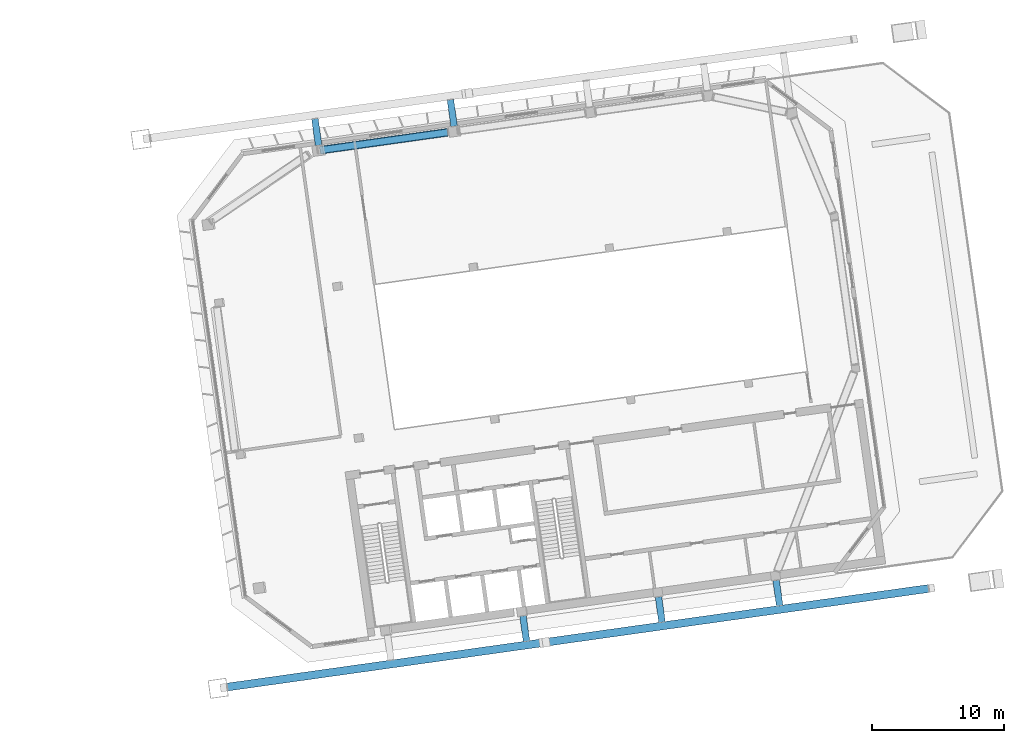
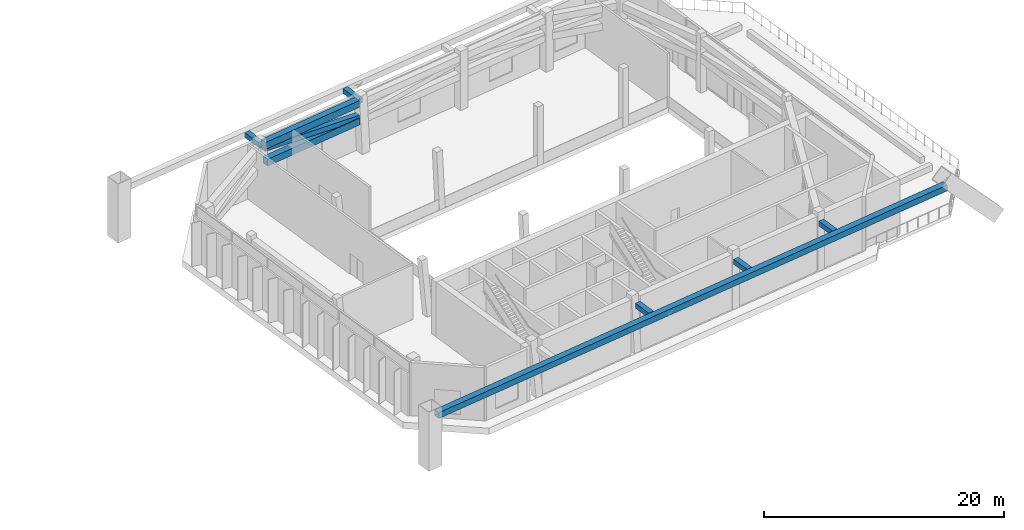
# One storey, part 10 of 29: 9 members.
"""IFC4 building model written with IfcOpenShell, lengths in metres."""

from ifc_helpers import new_model, si_unit, direction, frame, origin, origin_2d, place, context, subcontext, project, spatial, hollow_rectangle, extrude, material, material_profile, profile_set, type_object, element, save


model = new_model("IFC4")

# Units and contexts
model_context = context("Model", 3, precision=1e-05, world=origin(), true_north=direction((0.0, 1.0)))
body_context = subcontext(model_context, "Body", "Model", "MODEL_VIEW")
ifc_project = project(units=[si_unit("LENGTHUNIT", "METRE"), si_unit("AREAUNIT", "SQUARE_METRE"), si_unit("VOLUMEUNIT", "CUBIC_METRE"), si_unit("PLANEANGLEUNIT", "RADIAN"), si_unit("MASSUNIT", "GRAM", prefix="KILO")], contexts=[model_context])

# Site, building, storey
site_placement = place(None, origin())
site = spatial("IfcSite", under=ifc_project, at=site_placement, CompositionType="ELEMENT")
building_placement = place(site_placement, origin())
building = spatial("IfcBuilding", under=site, at=building_placement, Name="Mirante Cascada Hotel Towers", CompositionType="ELEMENT")
storey_placement = place(building_placement, frame((0.0, 0.0, 210.6)))
storey = spatial("IfcBuildingStorey", under=building, at=storey_placement, Name="L50", CompositionType="ELEMENT", Elevation=210.6)

# Members
ifc_material_1 = material(Name="Steel ASTM A572 Gr 50", Category="steel")
ifc_material_profile_1 = material_profile(ifc_material_1, hollow_rectangle(XDim=0.6, YDim=0.6, WallThickness=0.04, at=origin_2d()), Name="Box chord 600x600x40 ASTM A572 Gr 50")
ifc_profile_set_1 = profile_set([ifc_material_profile_1], Name="Steel ASTM A572 Gr 50")
member_type_1 = type_object("IfcMemberType", Name="Box chord 600x600x40 ASTM A572 Gr 50", PredefinedType="CHORD", material=ifc_profile_set_1)
member_1_placement = place(storey_placement, frame((26.6685, -23.6746, 4.85), z_axis=(0.9902679, 0.1391741, 0.0), x_axis=(-0.1391741, 0.9902679, 0.0)))
element("IfcMember", 1, at=member_1_placement, inside=storey, type_object=member_type_1, Name="exochord T2 L50 2", PredefinedType="CHORD", context=body_context, shape_type="SweptSolid", body=[
    extrude(hollow_rectangle(XDim=0.6, YDim=0.6, WallThickness=0.04, at=origin_2d()), origin(), (0.0, 0.0, 1.0), 53.6917),
])
ifc_material_2 = material(Name="Steel ASTM A572 Gr 50", Category="steel")
ifc_material_profile_2 = material_profile(ifc_material_2, hollow_rectangle(XDim=0.6, YDim=0.7, WallThickness=0.05, at=origin_2d()), Name="Box chord 700x600x50 ASTM A572 Gr 50")
ifc_profile_set_2 = profile_set([ifc_material_profile_2], Name="Steel ASTM A572 Gr 50")
member_type_2 = type_object("IfcMemberType", Name="Box chord 700x600x50 ASTM A572 Gr 50", PredefinedType="CHORD", material=ifc_profile_set_2)
member_2_placement = place(storey_placement, frame((33.5223, 16.9749, 5.2), z_axis=(0.9902685, 0.1391703, 0.0), x_axis=(-0.1391703, 0.9902685, 0.0)))
element("IfcMember", 2, at=member_2_placement, inside=storey, type_object=member_type_2, Name="belt T2 L50 4", PredefinedType="CHORD", context=body_context, shape_type="SweptSolid", body=[
    extrude(hollow_rectangle(XDim=0.6, YDim=0.7, WallThickness=0.05, at=origin_2d()), origin(), (0.0, 0.0, 1.0), 9.8656),
])
member_3_placement = place(storey_placement, frame((33.6988, 16.9997, 3.4), z_axis=(0.9902683, 0.1391713, 0.0), x_axis=(-0.1391713, 0.9902683, 0.0)))
element("IfcMember", 3, at=member_3_placement, inside=storey, type_object=member_type_2, Name="belt T2 L50 5", PredefinedType="CHORD", context=body_context, shape_type="SweptSolid", body=[
    extrude(hollow_rectangle(XDim=0.6, YDim=0.7, WallThickness=0.05, at=origin_2d()), origin(), (0.0, 0.0, 1.0), 9.7764),
])
ifc_material_3 = material(Name="Steel ASTM A572 Gr 50", Category="steel")
ifc_material_profile_3 = material_profile(ifc_material_3, hollow_rectangle(XDim=0.5, YDim=0.5, WallThickness=0.035, at=origin_2d()), Name="Box diagonal 500x500x35 ASTM A572 Gr 50")
ifc_profile_set_3 = profile_set([ifc_material_profile_3], Name="Steel ASTM A572 Gr 50")
member_type_3 = type_object("IfcMemberType", Name="Box diagonal 500x500x35 ASTM A572 Gr 50", PredefinedType="BRACE", material=ifc_profile_set_3)
member_4_placement = place(storey_placement, frame((33.5223, 16.9749, 4.85), z_axis=(0.9842774, 0.1383288, -0.1098323), x_axis=(-0.1391708, 0.9902684, 0.0)))
element("IfcMember", 4, at=member_4_placement, inside=storey, type_object=member_type_3, Name="belt T2 L50 6", PredefinedType="BRACE", context=body_context, shape_type="SweptSolid", body=[
    extrude(hollow_rectangle(XDim=0.5, YDim=0.5, WallThickness=0.035, at=origin_2d()), origin(), (0.0, 0.0, 1.0), 10.0153),
])
ifc_material_4 = material(Name="Steel ASTM A572 Gr 50", Category="steel")
ifc_material_profile_4 = material_profile(ifc_material_4, hollow_rectangle(XDim=0.5, YDim=0.5, WallThickness=0.035, at=origin_2d()), Name="Box tie 500x500x35 ASTM A572 Gr 50")
ifc_profile_set_4 = profile_set([ifc_material_profile_4], Name="Steel ASTM A572 Gr 50")
member_type_4 = type_object("IfcMemberType", Name="Box tie 500x500x35 ASTM A572 Gr 50", PredefinedType="STRUT", material=ifc_profile_set_4)
for number, where, z_axis, x_axis, name in (
    (5, (33.6029, 17.3699, 4.85), (-0.1391632, 0.9902695, 0.0), (-0.9902695, -0.1391632, 0.0), "tie T2 L50 1"),
    (6, (43.8702, 18.8129, 4.85), (-0.1391632, 0.9902695, 0.0), (-0.9902695, -0.1391632, 0.0), "tie T2 L50 3"),
):
    element("IfcMember", number, at=place(storey_placement, frame(where, z_axis=z_axis, x_axis=x_axis)), inside=storey, type_object=member_type_4, Name=name, PredefinedType="STRUT", context=body_context, shape_type="SweptSolid", body=[
        extrude(hollow_rectangle(XDim=0.5, YDim=0.5, WallThickness=0.035, at=origin_2d()), origin(), (0.0, 0.0, 1.0), 2.0401),
    ])
member_5_placement = place(storey_placement, frame((49.0836, -18.2825, 4.85), z_axis=(0.1391695, -0.9902686, 0.0), x_axis=(0.9902686, 0.1391695, 0.0)))
element("IfcMember", 7, at=member_5_placement, inside=storey, type_object=member_type_4, Name="tie T2 L50 4", PredefinedType="STRUT", context=body_context, shape_type="SweptSolid", body=[
    extrude(hollow_rectangle(XDim=0.5, YDim=0.5, WallThickness=0.035, at=origin_2d()), origin(), (0.0, 0.0, 1.0), 1.9401),
])
for number, where, z_axis, x_axis, name in (
    (8, (59.3509, -16.8396, 4.85), (0.1391766, -0.9902676, 0.0), (0.9902676, 0.1391766, 0.0), "tie T2 L50 6"),
    (9, (68.2633, -15.587, 4.85), (0.1391766, -0.9902676, 0.0), (0.9902676, 0.1391766, 0.0), "tie T2 L50 8"),
):
    element("IfcMember", number, at=place(storey_placement, frame(where, z_axis=z_axis, x_axis=x_axis)), inside=storey, type_object=member_type_4, Name=name, PredefinedType="STRUT", context=body_context, shape_type="SweptSolid", body=[
        extrude(hollow_rectangle(XDim=0.5, YDim=0.5, WallThickness=0.035, at=origin_2d()), origin(), (0.0, 0.0, 1.0), 1.94),
    ])

save(model, "model.ifc")
